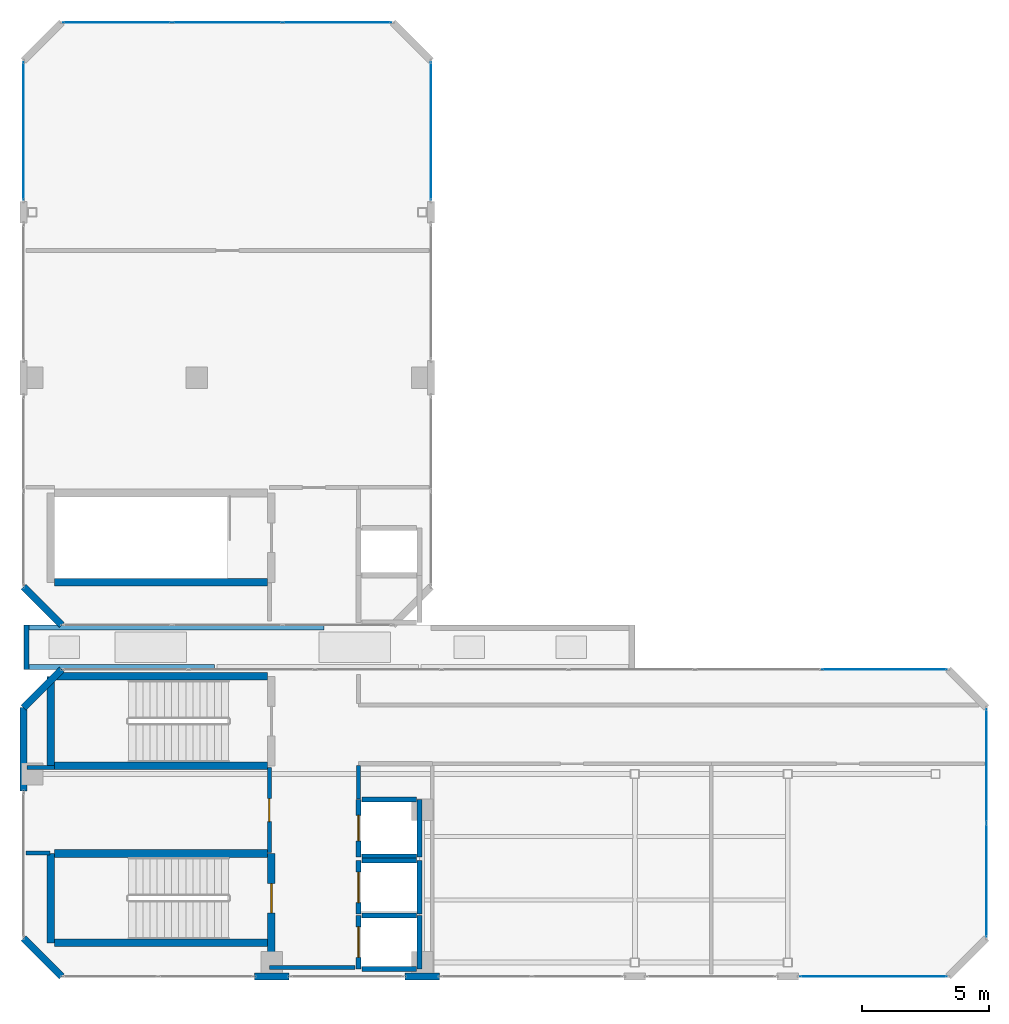
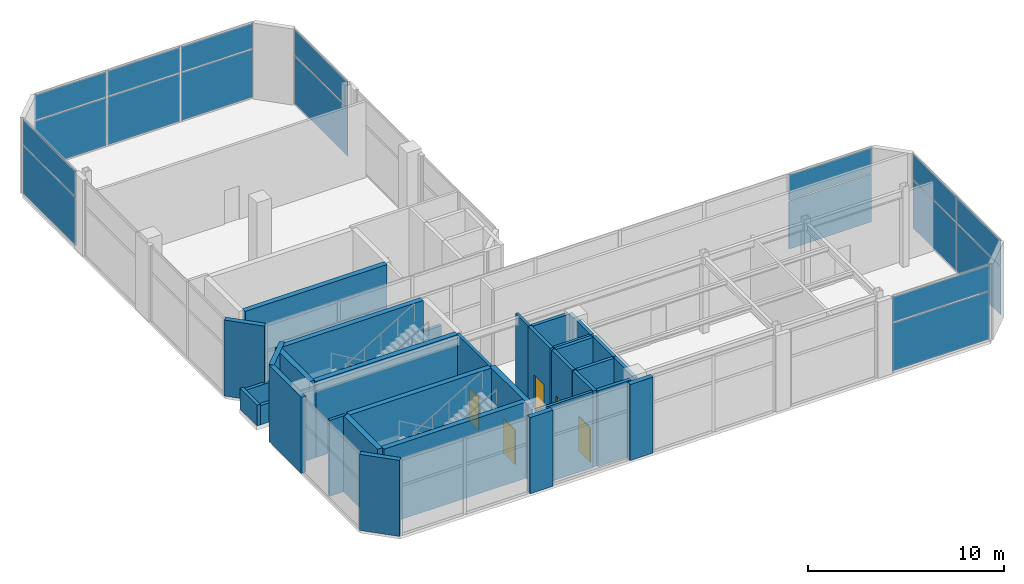
# One storey, part 16 of 18: 33 walls, 18 plates, 5 doors, 5 openings, 6 elements without a shape of their own.
"""IFC4 building model written with IfcOpenShell, lengths in metres."""

from ifc_helpers import new_model, si_unit, direction, frame, frame_2d, origin, origin_2d, place, context, subcontext, project, spatial, rectangle, extrude, material, layer, layer_set, type_object, element, fill, aggregate, save


model = new_model("IFC4")

# Units and contexts
model_context = context("Model", 3, precision=1e-05, world=origin(), true_north=direction((0.0, 1.0)))
body_context = subcontext(model_context, "Body", "Model", "MODEL_VIEW")
ifc_project = project(units=[si_unit("LENGTHUNIT", "METRE"), si_unit("AREAUNIT", "SQUARE_METRE"), si_unit("VOLUMEUNIT", "CUBIC_METRE"), si_unit("PLANEANGLEUNIT", "RADIAN"), si_unit("MASSUNIT", "GRAM", prefix="KILO")], contexts=[model_context])

# Site, building, storey
site_placement = place(None, origin())
site = spatial("IfcSite", under=ifc_project, at=site_placement, CompositionType="ELEMENT")
building_placement = place(site_placement, origin())
building = spatial("IfcBuilding", under=site, at=building_placement, Name="Mawjaban Terraces University", CompositionType="ELEMENT")
storey_placement = place(building_placement, frame((0.0, 0.0, 316.699951171875)))
storey = spatial("IfcBuildingStorey", under=building, at=storey_placement, Name="L77", CompositionType="ELEMENT", Elevation=316.699951171875)

# Curtain wall, plates
ifc_material_1 = material(Name="Anodised aluminium 6063-T6 and solar-control low-E glass", Category="aluminium")
ifc_layer_1 = layer(ifc_material_1, 0.199951171875)
ifc_layer_set_1 = layer_set([ifc_layer_1], Name="Anodised aluminium 6063-T6 and solar-control low-E glass")
curtain_wall_type = type_object("IfcCurtainWallType", Name="CWSystem_06_ObservationCrown", PredefinedType="NOTDEFINED", material=ifc_layer_set_1)
curtain_wall_1_placement = place(storey_placement, origin())
curtain_wall_1 = element("IfcCurtainWall", 1, at=curtain_wall_1_placement, inside=storey, type_object=curtain_wall_type, Name="L77 Curtain Wall CW-06 Run 1.5", PredefinedType="NOTDEFINED")
ifc_material_2 = material(Name="Low-E solar-control double glazing", Category="glass")
ifc_layer_2 = layer(ifc_material_2, 0.035888671875)
ifc_layer_set_2 = layer_set([ifc_layer_2], Name="Low-E solar-control double glazing")
plate_type = type_object("IfcPlateType", Name="VisionPanel_CW-06", PredefinedType="CURTAIN_PANEL", material=ifc_layer_set_2)
plate_1_placement = place(storey_placement, frame((55.362548828125, 0.0, 0.06005859375), z_axis=(0.0, 0.0, 1.0), x_axis=(1.0, 0.0, 0.0)))
plate_1 = element("IfcPlate", 2, at=plate_1_placement, type_object=plate_type, Name="CW-06 panel 1.1", PredefinedType="CURTAIN_PANEL", context=body_context, shape_type="SweptSolid", body=[
    extrude(rectangle(XDim=5.7451171875, YDim=0.028076171875, at=origin_2d()), origin(), (0.0, 0.0, 1.0), 2.990966796875),
])
plate_2_placement = place(storey_placement, frame((55.362548828125, 0.0, 3.11083984375), z_axis=(0.0, 0.0, 1.0), x_axis=(1.0, 0.0, 0.0)))
plate_2 = element("IfcPlate", 3, at=plate_2_placement, type_object=plate_type, Name="CW-06 panel 1.2", PredefinedType="CURTAIN_PANEL", context=body_context, shape_type="SweptSolid", body=[
    extrude(rectangle(XDim=5.7451171875, YDim=0.028076171875, at=origin_2d()), origin(), (0.0, 0.0, 1.0), 1.569091796875),
])
aggregate(curtain_wall_1, [plate_1, plate_2])

curtain_wall_2_placement = place(storey_placement, origin())
curtain_wall_2 = element("IfcCurtainWall", 4, at=curtain_wall_2_placement, inside=storey, type_object=curtain_wall_type, Name="L77 Curtain Wall CW-06 Run 3.1", PredefinedType="NOTDEFINED")
plate_3_placement = place(storey_placement, frame((59.800048828125, 3.77880859375, 0.06005859375), z_axis=(0.0, 0.0, 1.0), x_axis=(0.0, 1.0, 0.0)))
plate_3 = element("IfcPlate", 5, at=plate_3_placement, type_object=plate_type, Name="CW-06 panel 1.1", PredefinedType="CURTAIN_PANEL", context=body_context, shape_type="SweptSolid", body=[
    extrude(rectangle(XDim=4.427490234375, YDim=0.028076171875, at=origin_2d()), origin(), (0.0, 0.0, 1.0), 2.990966796875),
])
plate_4_placement = place(storey_placement, frame((59.800048828125, 3.77880859375, 3.11083984375), z_axis=(0.0, 0.0, 1.0), x_axis=(0.0, 1.0, 0.0)))
plate_4 = element("IfcPlate", 6, at=plate_4_placement, type_object=plate_type, Name="CW-06 panel 1.2", PredefinedType="CURTAIN_PANEL", context=body_context, shape_type="SweptSolid", body=[
    extrude(rectangle(XDim=4.427490234375, YDim=0.028076171875, at=origin_2d()), origin(), (0.0, 0.0, 1.0), 1.569091796875),
])
plate_5_placement = place(storey_placement, frame((59.800048828125, 8.271240234375, 0.06005859375), z_axis=(0.0, 0.0, 1.0), x_axis=(0.0, 1.0, 0.0)))
plate_5 = element("IfcPlate", 7, at=plate_5_placement, type_object=plate_type, Name="CW-06 panel 2.1", PredefinedType="CURTAIN_PANEL", context=body_context, shape_type="SweptSolid", body=[
    extrude(rectangle(XDim=4.427490234375, YDim=0.028076171875, at=origin_2d()), origin(), (0.0, 0.0, 1.0), 2.990966796875),
])
plate_6_placement = place(storey_placement, frame((59.800048828125, 8.271240234375, 3.11083984375), z_axis=(0.0, 0.0, 1.0), x_axis=(0.0, 1.0, 0.0)))
plate_6 = element("IfcPlate", 8, at=plate_6_placement, type_object=plate_type, Name="CW-06 panel 2.2", PredefinedType="CURTAIN_PANEL", context=body_context, shape_type="SweptSolid", body=[
    extrude(rectangle(XDim=4.427490234375, YDim=0.028076171875, at=origin_2d()), origin(), (0.0, 0.0, 1.0), 1.569091796875),
])
aggregate(curtain_wall_2, [plate_3, plate_4, plate_5, plate_6])

curtain_wall_3_placement = place(storey_placement, origin())
curtain_wall_3 = element("IfcCurtainWall", 9, at=curtain_wall_3_placement, inside=storey, type_object=curtain_wall_type, Name="L77 Curtain Wall CW-06 Run 5.1", PredefinedType="NOTDEFINED")
plate_7_placement = place(storey_placement, frame((55.798095703125, 12.050048828125, 0.06005859375), z_axis=(0.0, 0.0, 1.0), x_axis=(-1.0, 0.0, 0.0)))
plate_7 = element("IfcPlate", 10, at=plate_7_placement, type_object=plate_type, Name="CW-06 panel 1.1", PredefinedType="CURTAIN_PANEL", context=body_context, shape_type="SweptSolid", body=[
    extrude(rectangle(XDim=4.8740234375, YDim=0.028076171875, at=origin_2d()), origin(), (0.0, 0.0, 1.0), 2.990966796875),
])
plate_8_placement = place(storey_placement, frame((55.798095703125, 12.050048828125, 3.11083984375), z_axis=(0.0, 0.0, 1.0), x_axis=(-1.0, 0.0, 0.0)))
plate_8 = element("IfcPlate", 11, at=plate_8_placement, type_object=plate_type, Name="CW-06 panel 1.2", PredefinedType="CURTAIN_PANEL", context=body_context, shape_type="SweptSolid", body=[
    extrude(rectangle(XDim=4.8740234375, YDim=0.028076171875, at=origin_2d()), origin(), (0.0, 0.0, 1.0), 1.569091796875),
])
aggregate(curtain_wall_3, [plate_7, plate_8])

curtain_wall_4_placement = place(storey_placement, origin())
curtain_wall_4 = element("IfcCurtainWall", 12, at=curtain_wall_4_placement, inside=storey, type_object=curtain_wall_type, Name="L77 Curtain Wall CW-06 Run 3.3", PredefinedType="NOTDEFINED")
plate_9_placement = place(storey_placement, frame((38.0, 33.1875, 0.06005859375), z_axis=(0.0, 0.0, 1.0), x_axis=(0.0, 1.0, 0.0)))
plate_9 = element("IfcPlate", 13, at=plate_9_placement, type_object=plate_type, Name="CW-06 panel 1.1", PredefinedType="CURTAIN_PANEL", context=body_context, shape_type="SweptSolid", body=[
    extrude(rectangle(XDim=5.39501953125, YDim=0.028076171875, at=origin_2d()), origin(), (0.0, 0.0, 1.0), 2.990966796875),
])
plate_10_placement = place(storey_placement, frame((38.0, 33.1875, 3.11083984375), z_axis=(0.0, 0.0, 1.0), x_axis=(0.0, 1.0, 0.0)))
plate_10 = element("IfcPlate", 14, at=plate_10_placement, type_object=plate_type, Name="CW-06 panel 1.2", PredefinedType="CURTAIN_PANEL", context=body_context, shape_type="SweptSolid", body=[
    extrude(rectangle(XDim=5.39501953125, YDim=0.028076171875, at=origin_2d()), origin(), (0.0, 0.0, 1.0), 1.569091796875),
])
aggregate(curtain_wall_4, [plate_9, plate_10])

curtain_wall_5_placement = place(storey_placement, origin())
curtain_wall_5 = element("IfcCurtainWall", 15, at=curtain_wall_5_placement, inside=storey, type_object=curtain_wall_type, Name="L77 Curtain Wall CW-06 Run 5.1", PredefinedType="NOTDEFINED")
plate_11_placement = place(storey_placement, frame((34.317138671875, 37.449951171875, 0.06005859375), z_axis=(0.0, 0.0, 1.0), x_axis=(-1.0, 0.0, 0.0)))
plate_11 = element("IfcPlate", 16, at=plate_11_placement, type_object=plate_type, Name="CW-06 panel 1.1", PredefinedType="CURTAIN_PANEL", context=body_context, shape_type="SweptSolid", body=[
    extrude(rectangle(XDim=4.23583984375, YDim=0.028076171875, at=origin_2d()), origin(), (0.0, 0.0, 1.0), 2.990966796875),
])
plate_12_placement = place(storey_placement, frame((34.317138671875, 37.449951171875, 3.11083984375), z_axis=(0.0, 0.0, 1.0), x_axis=(-1.0, 0.0, 0.0)))
plate_12 = element("IfcPlate", 17, at=plate_12_placement, type_object=plate_type, Name="CW-06 panel 1.2", PredefinedType="CURTAIN_PANEL", context=body_context, shape_type="SweptSolid", body=[
    extrude(rectangle(XDim=4.23583984375, YDim=0.028076171875, at=origin_2d()), origin(), (0.0, 0.0, 1.0), 1.569091796875),
])
plate_13_placement = place(storey_placement, frame((30.0, 37.449951171875, 0.06005859375), z_axis=(0.0, 0.0, 1.0), x_axis=(-1.0, 0.0, 0.0)))
plate_13 = element("IfcPlate", 18, at=plate_13_placement, type_object=plate_type, Name="CW-06 panel 2.1", PredefinedType="CURTAIN_PANEL", context=body_context, shape_type="SweptSolid", body=[
    extrude(rectangle(XDim=4.268310546875, YDim=0.028076171875, at=origin_2d()), origin(), (0.0, 0.0, 1.0), 2.990966796875),
])
plate_14_placement = place(storey_placement, frame((30.0, 37.449951171875, 3.11083984375), z_axis=(0.0, 0.0, 1.0), x_axis=(-1.0, 0.0, 0.0)))
plate_14 = element("IfcPlate", 19, at=plate_14_placement, type_object=plate_type, Name="CW-06 panel 2.2", PredefinedType="CURTAIN_PANEL", context=body_context, shape_type="SweptSolid", body=[
    extrude(rectangle(XDim=4.268310546875, YDim=0.028076171875, at=origin_2d()), origin(), (0.0, 0.0, 1.0), 1.569091796875),
])
plate_15_placement = place(storey_placement, frame((25.682861328125, 37.449951171875, 0.06005859375), z_axis=(0.0, 0.0, 1.0), x_axis=(-1.0, 0.0, 0.0)))
plate_15 = element("IfcPlate", 20, at=plate_15_placement, type_object=plate_type, Name="CW-06 panel 3.1", PredefinedType="CURTAIN_PANEL", context=body_context, shape_type="SweptSolid", body=[
    extrude(rectangle(XDim=4.23583984375, YDim=0.028076171875, at=origin_2d()), origin(), (0.0, 0.0, 1.0), 2.990966796875),
])
plate_16_placement = place(storey_placement, frame((25.682861328125, 37.449951171875, 3.11083984375), z_axis=(0.0, 0.0, 1.0), x_axis=(-1.0, 0.0, 0.0)))
plate_16 = element("IfcPlate", 21, at=plate_16_placement, type_object=plate_type, Name="CW-06 panel 3.2", PredefinedType="CURTAIN_PANEL", context=body_context, shape_type="SweptSolid", body=[
    extrude(rectangle(XDim=4.23583984375, YDim=0.028076171875, at=origin_2d()), origin(), (0.0, 0.0, 1.0), 1.569091796875),
])
aggregate(curtain_wall_5, [plate_11, plate_12, plate_13, plate_14, plate_15, plate_16])

curtain_wall_6_placement = place(storey_placement, origin())
curtain_wall_6 = element("IfcCurtainWall", 22, at=curtain_wall_6_placement, inside=storey, type_object=curtain_wall_type, Name="L77 Curtain Wall CW-06 Run 7.1", PredefinedType="NOTDEFINED")
plate_17_placement = place(storey_placement, frame((22.0, 33.1875, 0.06005859375), z_axis=(0.0, 0.0, 1.0), x_axis=(0.0, -1.0, 0.0)))
plate_17 = element("IfcPlate", 23, at=plate_17_placement, type_object=plate_type, Name="CW-06 panel 1.1", PredefinedType="CURTAIN_PANEL", context=body_context, shape_type="SweptSolid", body=[
    extrude(rectangle(XDim=5.39501953125, YDim=0.028076171875, at=origin_2d()), origin(), (0.0, 0.0, 1.0), 2.990966796875),
])
plate_18_placement = place(storey_placement, frame((22.0, 33.1875, 3.11083984375), z_axis=(0.0, 0.0, 1.0), x_axis=(0.0, -1.0, 0.0)))
plate_18 = element("IfcPlate", 24, at=plate_18_placement, type_object=plate_type, Name="CW-06 panel 1.2", PredefinedType="CURTAIN_PANEL", context=body_context, shape_type="SweptSolid", body=[
    extrude(rectangle(XDim=5.39501953125, YDim=0.028076171875, at=origin_2d()), origin(), (0.0, 0.0, 1.0), 1.569091796875),
])
aggregate(curtain_wall_6, [plate_17, plate_18])

# Walls
ifc_material_3 = material(Name="Fire-rated gypsum board on steel stud", Category="steel")
ifc_layer_3 = layer(ifc_material_3, 0.159912109375)
ifc_layer_set_3 = layer_set([ifc_layer_3], Name="Fire-rated gypsum board on steel stud")
wall_type_1 = type_object("IfcWallType", Name="CorridorPartition_160", PredefinedType="PARTITIONING", material=ifc_layer_set_3)
wall_1_placement = place(storey_placement, frame((22.090087890625, 4.85009765625, 0.0), z_axis=(0.0, 0.0, 1.0), x_axis=(1.0, 0.0, 0.0)))
element("IfcWall", 25, at=wall_1_placement, inside=storey, type_object=wall_type_1, Name="L77 East Peak Lift Machine Room Partition 1", PredefinedType="PARTITIONING", context=body_context, shape_type="SweptSolid", body=[
    extrude(rectangle(XDim=0.949951171875, YDim=0.159912109375, at=frame_2d((0.47509765625, 0.0))), origin(), (0.0, 0.0, 1.0), 4.739990234375),
])
wall_2_placement = place(storey_placement, frame((23.219970703125, 8.199951171875, 0.0), z_axis=(0.0, 0.0, 1.0), x_axis=(-1.0, 0.0, 0.0)))
element("IfcWall", 26, at=wall_2_placement, inside=storey, type_object=wall_type_1, Name="L77 East Peak Lift Machine Room Partition 3", PredefinedType="PARTITIONING", context=body_context, shape_type="SweptSolid", body=[
    extrude(rectangle(XDim=1.0869140625, YDim=0.159912109375, at=frame_2d((0.54345703125, 0.0))), origin(), (0.0, 0.0, 1.0), 4.277099609375),
])
wall_3_placement = place(storey_placement, frame((31.64990234375, 0.35009765625, 0.0), z_axis=(0.0, 0.0, 1.0), x_axis=(1.0, 0.0, 0.0)))
element("IfcWall", 27, at=wall_3_placement, inside=storey, type_object=wall_type_1, Name="L77 East Peak Stair and Lift Plant Lobby Partition 4", PredefinedType="PARTITIONING", context=body_context, shape_type="SweptSolid", body=[
    extrude(rectangle(XDim=3.3701171875, YDim=0.159912109375, at=frame_2d((1.68505859375, 0.0))), origin(), (0.0, 0.0, 1.0), 4.739990234375),
])

# Wall, opening, door
wall_4_placement = place(storey_placement, frame((31.64990234375, 4.860107421875, 0.0), z_axis=(0.0, 0.0, 1.0), x_axis=(0.0, 1.0, 0.0)))
wall_4 = element("IfcWall", 28, at=wall_4_placement, inside=storey, type_object=wall_type_1, Name="L77 East Peak Lift Machine Room Partition 12", PredefinedType="PARTITIONING", context=body_context, shape_type="SweptSolid", body=[
    extrude(rectangle(XDim=3.33984375, YDim=0.159912109375, at=frame_2d((1.669921875, 0.0))), origin(), (0.0, 0.0, 1.0), 4.739990234375),
])
opening_1_placement = place(wall_4_placement, frame((1.219970703125, 0.0, 0.0)))
opening_1 = element("IfcOpeningElement", 29, at=opening_1_placement, cuts=wall_4, Name="Opening ID-090", PredefinedType="OPENING", context=body_context, shape_type="SweptSolid", body=[
    extrude(rectangle(XDim=0.89990234375, YDim=2.10009765625, at=frame_2d((0.449951171875, 1.050048828125))), frame((0.0, 0.08984375, 0.0), z_axis=(0.0, -1.0, 0.0), x_axis=(1.0, 0.0, 0.0)), (0.0, 0.0, 1.0), 0.179931640625),
])
ifc_material_4 = material(Name="Powder-coated steel frame and solid acoustic timber leaf", Category="steel")
door_type_1 = type_object("IfcDoorType", Name="OfficeDoor_900x2100", OperationType="NOTDEFINED", PredefinedType="DOOR", material=ifc_material_4)
door_1_placement = place(opening_1_placement, origin())
door_1 = element("IfcDoor", 30, at=door_1_placement, inside=storey, type_object=door_type_1, Name="L77 East Peak Lift Machine Room Door", OperationType="SINGLE_SWING_RIGHT", OverallHeight=2.10009765625, OverallWidth=0.89990234375, PredefinedType="DOOR", context=body_context, shape_type="SweptSolid", body=[
    extrude(rectangle(XDim=0.89990234375, YDim=2.10009765625, at=frame_2d((0.449951171875, 1.050048828125))), frame((0.0, 0.02490234375, 0.0), z_axis=(0.0, -1.0, 0.0), x_axis=(1.0, 0.0, 0.0)), (0.0, 0.0, 1.0), 0.050048828125),
])
fill(opening_1, door_1)

# Walls
wall_5_placement = place(storey_placement, frame((35.14990234375, 6.969970703125, 0.0), z_axis=(0.0, 0.0, 1.0), x_axis=(0.0, 1.0, 0.0)))
element("IfcWall", 31, at=wall_5_placement, inside=storey, type_object=wall_type_1, Name="L77 East Peak Stair and Lift Plant Lobby Partition 14", PredefinedType="PARTITIONING", context=body_context, shape_type="SweptSolid", body=[
    extrude(rectangle(XDim=1.304931640625, YDim=0.159912109375, at=frame_2d((0.65234375, 0.0))), origin(), (0.0, 0.0, 1.0), 4.739990234375),
])
ifc_material_5 = material(Name="Insulated terracotta rainscreen on concrete backup C40/50", Category="masonry")
ifc_layer_4 = layer(ifc_material_5, 0.27490234375)
ifc_layer_set_4 = layer_set([ifc_layer_4], Name="Insulated terracotta rainscreen on concrete backup C40/50")
wall_type_2 = type_object("IfcWallType", Name="ExtTerracottaWall_275", PredefinedType="SOLIDWALL", material=ifc_layer_set_4)
wall_6_placement = place(storey_placement, frame((31.074951171875, 0.0, 0.0), z_axis=(0.0, 0.0, 1.0), x_axis=(1.0, 0.0, 0.0)))
element("IfcWall", 32, at=wall_6_placement, inside=storey, type_object=wall_type_2, Name="L77 Exterior Terracotta Pier Wall 1.1", PredefinedType="SOLIDWALL", context=body_context, shape_type="SweptSolid", body=[
    extrude(rectangle(XDim=1.35009765625, YDim=0.27490234375, at=frame_2d((0.675048828125, 0.0))), origin(), (0.0, 0.0, 1.0), 4.739990234375),
])
wall_7_placement = place(storey_placement, frame((36.97509765625, 0.0, 0.0), z_axis=(0.0, 0.0, 1.0), x_axis=(1.0, 0.0, 0.0)))
element("IfcWall", 33, at=wall_7_placement, inside=storey, type_object=wall_type_2, Name="L77 Exterior Terracotta Pier Wall 1.2", PredefinedType="SOLIDWALL", context=body_context, shape_type="SweptSolid", body=[
    extrude(rectangle(XDim=1.349853515625, YDim=0.27490234375, at=frame_2d((0.6748046875, 0.0))), origin(), (0.0, 0.0, 1.0), 4.739990234375),
])
wall_8_placement = place(storey_placement, frame((23.5, 12.050048828125, 0.0), z_axis=(0.0, 0.0, 1.0), x_axis=(-0.707106781187, -0.707106781187, 0.0)))
element("IfcWall", 34, at=wall_8_placement, inside=storey, type_object=wall_type_2, Name="L77 Exterior Terracotta Wall 6", PredefinedType="SOLIDWALL", context=body_context, shape_type="SweptSolid", body=[
    extrude(rectangle(XDim=2.121337890625, YDim=0.27490234375, at=frame_2d((1.060546875, 0.0))), origin(), (0.0, 0.0, 1.0), 4.739990234375),
])
wall_9_placement = place(storey_placement, frame((22.0, 10.550048828125, 0.0), z_axis=(0.0, 0.0, 1.0), x_axis=(0.0, -1.0, 0.0)))
element("IfcWall", 35, at=wall_9_placement, inside=storey, type_object=wall_type_2, Name="L77 Exterior Terracotta Pier Wall 7.1", PredefinedType="SOLIDWALL", context=body_context, shape_type="SweptSolid", body=[
    extrude(rectangle(XDim=3.275146484375, YDim=0.27490234375, at=frame_2d((1.6376953125, 0.0))), origin(), (0.0, 0.0, 1.0), 4.739990234375),
])
for number, where, z_axis, x_axis, name in (
    (36, (22.0, 1.5, 0.0), (0.0, 0.0, 1.0), (0.707106781187, -0.707106781187, 0.0), "L77 Exterior Terracotta Wall 8"),
    (37, (22.0, 15.300048828125, 0.0), (0.0, 0.0, 1.0), (0.707106781187, -0.707106781187, 0.0), "L77 Exterior Terracotta Wall 8"),
):
    element("IfcWall", number, at=place(storey_placement, frame(where, z_axis=z_axis, x_axis=x_axis)), inside=storey, type_object=wall_type_2, Name=name, PredefinedType="SOLIDWALL", context=body_context, shape_type="SweptSolid", body=[
        extrude(rectangle(XDim=2.121337890625, YDim=0.27490234375, at=frame_2d((1.060546875, 0.0))), origin(), (0.0, 0.0, 1.0), 4.739990234375),
    ])

# Wall, opening, door
ifc_material_6 = material(Name="Concrete C40/50", Category="concrete")
ifc_layer_5 = layer(ifc_material_6, 0.199951171875)
ifc_layer_set_5 = layer_set([ifc_layer_5], Name="Concrete C40/50")
wall_type_3 = type_object("IfcWallType", Name="FireLobbyWall_200", PredefinedType="SOLIDWALL", material=ifc_layer_set_5)
wall_10_placement = place(storey_placement, frame((35.14990234375, 2.39990234375, 0.0), z_axis=(0.0, 0.0, 1.0), x_axis=(0.0, -1.0, 0.0)))
wall_10 = element("IfcWall", 38, at=wall_10_placement, inside=storey, type_object=wall_type_3, Name="L77 Lift FL-1 Hoistway Wall West", PredefinedType="SOLIDWALL", context=body_context, shape_type="SweptSolid", body=[
    extrude(rectangle(XDim=2.099853515625, YDim=0.199951171875, at=frame_2d((1.0498046875, 0.0))), origin(), (0.0, 0.0, 1.0), 4.739990234375),
])
opening_2_placement = place(wall_10_placement, frame((0.449951171875, 0.0, 0.0)))
opening_2 = element("IfcOpeningElement", 39, at=opening_2_placement, cuts=wall_10, Name="Opening LD-FL-1", PredefinedType="OPENING", context=body_context, shape_type="SweptSolid", body=[
    extrude(rectangle(XDim=1.199951171875, YDim=2.14990234375, at=frame_2d((0.60009765625, 1.074951171875))), frame((0.0, 0.10986328125, 0.0), z_axis=(0.0, -1.0, 0.0), x_axis=(1.0, 0.0, 0.0)), (0.0, 0.0, 1.0), 0.219970703125),
])
ifc_material_7 = material(Name="Powder-coated steel frame and fire-rated steel-faced leaf", Category="steel")
door_type_2 = type_object("IfcDoorType", Name="LiftLandingFSAE_1200x2150", OperationType="NOTDEFINED", PredefinedType="DOOR", material=ifc_material_7)
door_2_placement = place(opening_2_placement, origin())
door_2 = element("IfcDoor", 40, at=door_2_placement, inside=storey, type_object=door_type_2, Name="L77 Lift FL-1 Sliding Landing Door", OperationType="DOUBLE_DOOR_SLIDING", OverallHeight=2.14990234375, OverallWidth=1.199951171875, PredefinedType="DOOR", context=body_context, shape_type="SweptSolid", body=[
    extrude(rectangle(XDim=1.199951171875, YDim=2.14990234375, at=frame_2d((0.60009765625, 1.074951171875))), frame((0.0, 0.02490234375, 0.0), z_axis=(0.0, -1.0, 0.0), x_axis=(1.0, 0.0, 0.0)), (0.0, 0.0, 1.0), 0.050048828125),
])
fill(opening_2, door_2)

# Walls
wall_11_placement = place(storey_placement, frame((37.550048828125, 0.300048828125, 0.0), z_axis=(0.0, 0.0, 1.0), x_axis=(0.0, 1.0, 0.0)))
element("IfcWall", 41, at=wall_11_placement, inside=storey, type_object=wall_type_3, Name="L77 Lift FL-1 Hoistway Wall East", PredefinedType="SOLIDWALL", context=body_context, shape_type="SweptSolid", body=[
    extrude(rectangle(XDim=2.099853515625, YDim=0.199951171875, at=frame_2d((1.0498046875, 0.0))), origin(), (0.0, 0.0, 1.0), 4.739990234375),
])
for number, where, z_axis, x_axis, name in (
    (42, (35.280029296875, 0.300048828125, 0.0), (0.0, 0.0, 1.0), (1.0, 0.0, 0.0), "L77 Lift FL-1 Hoistway Wall South"),
    (43, (37.419921875, 2.39990234375, 0.0), (0.0, 0.0, 1.0), (-1.0, 0.0, 0.0), "L77 Lift FL-1 Hoistway Wall North"),
):
    element("IfcWall", number, at=place(storey_placement, frame(where, z_axis=z_axis, x_axis=x_axis)), inside=storey, type_object=wall_type_3, Name=name, PredefinedType="SOLIDWALL", context=body_context, shape_type="SweptSolid", body=[
        extrude(rectangle(XDim=2.139892578125, YDim=0.199951171875, at=frame_2d((1.06982421875, 0.0))), origin(), (0.0, 0.0, 1.0), 4.739990234375),
    ])

# Wall, opening, door
wall_12_placement = place(storey_placement, frame((35.14990234375, 4.550048828125, 0.0), z_axis=(0.0, 0.0, 1.0), x_axis=(0.0, -1.0, 0.0)))
wall_12 = element("IfcWall", 44, at=wall_12_placement, inside=storey, type_object=wall_type_3, Name="L77 Lift FL-2 Hoistway Wall West", PredefinedType="SOLIDWALL", context=body_context, shape_type="SweptSolid", body=[
    extrude(rectangle(XDim=2.10009765625, YDim=0.199951171875, at=frame_2d((1.050048828125, 0.0))), origin(), (0.0, 0.0, 1.0), 4.739990234375),
])
opening_3_placement = place(wall_12_placement, frame((0.449951171875, 0.0, 0.0)))
opening_3 = element("IfcOpeningElement", 45, at=opening_3_placement, cuts=wall_12, Name="Opening LD-FL-2", PredefinedType="OPENING", context=body_context, shape_type="SweptSolid", body=[
    extrude(rectangle(XDim=1.199951171875, YDim=2.14990234375, at=frame_2d((0.60009765625, 1.074951171875))), frame((0.0, 0.10986328125, 0.0), z_axis=(0.0, -1.0, 0.0), x_axis=(1.0, 0.0, 0.0)), (0.0, 0.0, 1.0), 0.219970703125),
])
door_3_placement = place(opening_3_placement, origin())
door_3 = element("IfcDoor", 46, at=door_3_placement, inside=storey, type_object=door_type_2, Name="L77 Lift FL-2 Sliding Landing Door", OperationType="DOUBLE_DOOR_SLIDING", OverallHeight=2.14990234375, OverallWidth=1.199951171875, PredefinedType="DOOR", context=body_context, shape_type="SweptSolid", body=[
    extrude(rectangle(XDim=1.199951171875, YDim=2.14990234375, at=frame_2d((0.60009765625, 1.074951171875))), frame((0.0, 0.02490234375, 0.0), z_axis=(0.0, -1.0, 0.0), x_axis=(1.0, 0.0, 0.0)), (0.0, 0.0, 1.0), 0.050048828125),
])
fill(opening_3, door_3)

# Walls
wall_13_placement = place(storey_placement, frame((37.550048828125, 2.449951171875, 0.0), z_axis=(0.0, 0.0, 1.0), x_axis=(0.0, 1.0, 0.0)))
element("IfcWall", 47, at=wall_13_placement, inside=storey, type_object=wall_type_3, Name="L77 Lift FL-2 Hoistway Wall East", PredefinedType="SOLIDWALL", context=body_context, shape_type="SweptSolid", body=[
    extrude(rectangle(XDim=2.10009765625, YDim=0.199951171875, at=frame_2d((1.050048828125, 0.0))), origin(), (0.0, 0.0, 1.0), 4.739990234375),
])
wall_14_placement = place(storey_placement, frame((37.419921875, 4.550048828125, 0.0), z_axis=(0.0, 0.0, 1.0), x_axis=(-1.0, 0.0, 0.0)))
element("IfcWall", 48, at=wall_14_placement, inside=storey, type_object=wall_type_3, Name="L77 Lift FL-2 Hoistway Wall North", PredefinedType="SOLIDWALL", context=body_context, shape_type="SweptSolid", body=[
    extrude(rectangle(XDim=2.139892578125, YDim=0.199951171875, at=frame_2d((1.06982421875, 0.0))), origin(), (0.0, 0.0, 1.0), 4.739990234375),
])

# Wall, opening, door
wall_15_placement = place(storey_placement, frame((35.14990234375, 6.949951171875, 0.0), z_axis=(0.0, 0.0, 1.0), x_axis=(0.0, -1.0, 0.0)))
wall_15 = element("IfcWall", 49, at=wall_15_placement, inside=storey, type_object=wall_type_3, Name="L77 Lift SL-1 Hoistway Wall West", PredefinedType="SOLIDWALL", context=body_context, shape_type="SweptSolid", body=[
    extrude(rectangle(XDim=2.25, YDim=0.199951171875, at=frame_2d((1.125, 0.0))), origin(), (0.0, 0.0, 1.0), 4.739990234375),
])
opening_4_placement = place(wall_15_placement, frame((0.625, 0.0, 0.0)))
opening_4 = element("IfcOpeningElement", 50, at=opening_4_placement, cuts=wall_15, Name="Opening LD-SL-1", PredefinedType="OPENING", context=body_context, shape_type="SweptSolid", body=[
    extrude(rectangle(XDim=1.0, YDim=2.10009765625, at=frame_2d((0.5, 1.050048828125))), frame((0.0, 0.10986328125, 0.0), z_axis=(0.0, -1.0, 0.0), x_axis=(1.0, 0.0, 0.0)), (0.0, 0.0, 1.0), 0.219970703125),
])
door_type_3 = type_object("IfcDoorType", Name="LiftLandingSliding_1000x2100", OperationType="NOTDEFINED", PredefinedType="DOOR", material=ifc_material_7)
door_4_placement = place(opening_4_placement, origin())
door_4 = element("IfcDoor", 51, at=door_4_placement, inside=storey, type_object=door_type_3, Name="L77 Lift SL-1 Sliding Landing Door", OperationType="DOUBLE_DOOR_SLIDING", OverallHeight=2.10009765625, OverallWidth=1.0, PredefinedType="DOOR", context=body_context, shape_type="SweptSolid", body=[
    extrude(rectangle(XDim=1.0, YDim=2.10009765625, at=frame_2d((0.5, 1.050048828125))), frame((0.0, 0.02490234375, 0.0), z_axis=(0.0, -1.0, 0.0), x_axis=(1.0, 0.0, 0.0)), (0.0, 0.0, 1.0), 0.050048828125),
])
fill(opening_4, door_4)

# Walls
wall_16_placement = place(storey_placement, frame((37.550048828125, 4.699951171875, 0.0), z_axis=(0.0, 0.0, 1.0), x_axis=(0.0, 1.0, 0.0)))
element("IfcWall", 52, at=wall_16_placement, inside=storey, type_object=wall_type_3, Name="L77 Lift SL-1 Hoistway Wall East", PredefinedType="SOLIDWALL", context=body_context, shape_type="SweptSolid", body=[
    extrude(rectangle(XDim=2.25, YDim=0.199951171875, at=frame_2d((1.125, 0.0))), origin(), (0.0, 0.0, 1.0), 4.739990234375),
])
for number, where, z_axis, x_axis, name in (
    (53, (35.280029296875, 4.699951171875, 0.0), (0.0, 0.0, 1.0), (1.0, 0.0, 0.0), "L77 Lift SL-1 Hoistway Wall South"),
    (54, (37.419921875, 6.949951171875, 0.0), (0.0, 0.0, 1.0), (-1.0, 0.0, 0.0), "L77 Lift SL-1 Hoistway Wall North"),
):
    element("IfcWall", number, at=place(storey_placement, frame(where, z_axis=z_axis, x_axis=x_axis)), inside=storey, type_object=wall_type_3, Name=name, PredefinedType="SOLIDWALL", context=body_context, shape_type="SweptSolid", body=[
        extrude(rectangle(XDim=2.139892578125, YDim=0.199951171875, at=frame_2d((1.06982421875, 0.0))), origin(), (0.0, 0.0, 1.0), 4.739990234375),
    ])
ifc_material_8 = material(Name="Architectural glazed terracotta parapet", Category="masonry")
ifc_layer_6 = layer(ifc_material_8, 0.18994140625)
ifc_layer_set_6 = layer_set([ifc_layer_6], Name="Architectural glazed terracotta parapet")
wall_type_4 = type_object("IfcWallType", Name="ParapetWall_190", PredefinedType="PARAPET", material=ifc_layer_set_6)
wall_17_placement = place(storey_placement, frame((22.1201171875, 12.050048828125, 0.0), z_axis=(0.0, 0.0, 1.0), x_axis=(0.0, 1.0, 0.0)))
element("IfcWall", 55, at=wall_17_placement, inside=storey, type_object=wall_type_4, Name="L77 Sky-Slot West Parapet Wall", PredefinedType="PARAPET", context=body_context, shape_type="SweptSolid", body=[
    extrude(rectangle(XDim=1.75, YDim=0.18994140625, at=frame_2d((0.875, 0.0))), origin(), (0.0, 0.0, 1.0), 1.300048828125),
])
wall_18_placement = place(storey_placement, frame((22.199951171875, 12.14501953125, 0.0), z_axis=(0.0, 0.0, 1.0), x_axis=(1.0, 0.0, 0.0)))
element("IfcWall", 56, at=wall_18_placement, inside=storey, type_object=wall_type_4, Name="L77 Sky-Slot Kerb Parapet 1", PredefinedType="PARAPET", context=body_context, shape_type="SweptSolid", body=[
    extrude(rectangle(XDim=7.300048828125, YDim=0.18994140625, at=frame_2d((3.64990234375, 0.0))), origin(), (0.0, 0.0, 1.0), 1.199951171875),
])
wall_19_placement = place(storey_placement, frame((22.199951171875, 13.705078125, 0.0), z_axis=(0.0, 0.0, 1.0), x_axis=(1.0, 0.0, 0.0)))
element("IfcWall", 57, at=wall_19_placement, inside=storey, type_object=wall_type_4, Name="L77 Sky-Slot Kerb Parapet 4", PredefinedType="PARAPET", context=body_context, shape_type="SweptSolid", body=[
    extrude(rectangle(XDim=11.60009765625, YDim=0.18994140625, at=frame_2d((5.800048828125, 0.0))), origin(), (0.0, 0.0, 1.0), 1.199951171875),
])
ifc_material_9 = material(Name="Concrete C60/75", Category="concrete")
ifc_layer_7 = layer(ifc_material_9, 0.300048828125)
ifc_layer_set_7 = layer_set([ifc_layer_7], Name="Concrete C60/75")
wall_type_5 = type_object("IfcWallType", Name="StairShaftWall_300", PredefinedType="SHEAR", material=ifc_layer_set_7)
wall_20_placement = place(storey_placement, frame((31.580078125, 4.830078125, 0.0), z_axis=(0.0, 0.0, 1.0), x_axis=(-1.0, 0.0, 0.0)))
element("IfcWall", 58, at=wall_20_placement, inside=storey, type_object=wall_type_5, Name="L77 ST-1 Stair Shaft Wall 1", PredefinedType="SHEAR", context=body_context, shape_type="SweptSolid", body=[
    extrude(rectangle(XDim=8.360107421875, YDim=0.300048828125, at=frame_2d((4.18017578125, 0.0))), origin(), (0.0, 0.0, 1.0), 4.739990234375),
])
wall_21_placement = place(storey_placement, frame((23.070068359375, 4.830078125, 0.0), z_axis=(0.0, 0.0, 1.0), x_axis=(0.0, -1.0, 0.0)))
element("IfcWall", 59, at=wall_21_placement, inside=storey, type_object=wall_type_5, Name="L77 ST-1 Stair Shaft Wall 2", PredefinedType="SHEAR", context=body_context, shape_type="SweptSolid", body=[
    extrude(rectangle(XDim=3.510009765625, YDim=0.300048828125, at=frame_2d((1.7548828125, 0.0))), origin(), (0.0, 0.0, 1.0), 4.739990234375),
])
wall_22_placement = place(storey_placement, frame((23.219970703125, 1.320068359375, 0.0), z_axis=(0.0, 0.0, 1.0), x_axis=(1.0, 0.0, 0.0)))
element("IfcWall", 60, at=wall_22_placement, inside=storey, type_object=wall_type_5, Name="L77 ST-1 Stair Shaft Wall 3", PredefinedType="SHEAR", context=body_context, shape_type="SweptSolid", body=[
    extrude(rectangle(XDim=8.360107421875, YDim=0.300048828125, at=frame_2d((4.18017578125, 0.0))), origin(), (0.0, 0.0, 1.0), 4.739990234375),
])

# Wall, opening, door
wall_23_placement = place(storey_placement, frame((31.72998046875, 0.9599609375, 0.0), z_axis=(0.0, 0.0, 1.0), x_axis=(0.0, 1.0, 0.0)))
wall_23 = element("IfcWall", 61, at=wall_23_placement, inside=storey, type_object=wall_type_5, Name="L77 ST-1 Stair Shaft Wall 4", PredefinedType="SHEAR", context=body_context, shape_type="SweptSolid", body=[
    extrude(rectangle(XDim=3.8701171875, YDim=0.300048828125, at=frame_2d((1.93505859375, 0.0))), origin(), (0.0, 0.0, 1.0), 4.739990234375),
])
opening_5_placement = place(wall_23_placement, frame((1.5400390625, 0.0, 0.0)))
opening_5 = element("IfcOpeningElement", 62, at=opening_5_placement, cuts=wall_23, Name="Opening FD-115", PredefinedType="OPENING", context=body_context, shape_type="SweptSolid", body=[
    extrude(rectangle(XDim=1.14990234375, YDim=2.14990234375, at=frame_2d((0.574951171875, 1.074951171875))), frame((0.0, 0.159912109375, 0.0), z_axis=(0.0, -1.0, 0.0), x_axis=(1.0, 0.0, 0.0)), (0.0, 0.0, 1.0), 0.320068359375),
])
door_type_4 = type_object("IfcDoorType", Name="FireStairDoor_1150x2150", OperationType="NOTDEFINED", PredefinedType="DOOR", material=ifc_material_7)
door_5_placement = place(opening_5_placement, origin())
door_5 = element("IfcDoor", 63, at=door_5_placement, inside=storey, type_object=door_type_4, Name="L77 ST-1 Pressurised Stair Fire Door", OperationType="SINGLE_SWING_LEFT", OverallHeight=2.14990234375, OverallWidth=1.14990234375, PredefinedType="DOOR", context=body_context, shape_type="SweptSolid", body=[
    extrude(rectangle(XDim=1.14990234375, YDim=2.14990234375, at=frame_2d((0.574951171875, 1.074951171875))), frame((0.0, 0.02490234375, 0.0), z_axis=(0.0, -1.0, 0.0), x_axis=(1.0, 0.0, 0.0)), (0.0, 0.0, 1.0), 0.050048828125),
])
fill(opening_5, door_5)

# Walls
for number, where, z_axis, x_axis, name in (
    (64, (23.219970703125, 15.469970703125, 0.0), (0.0, 0.0, 1.0), (1.0, 0.0, 0.0), "L77 ST-2 Stair Shaft Wall 3"),
    (65, (31.580078125, 11.780029296875, 0.0), (0.0, 0.0, 1.0), (-1.0, 0.0, 0.0), "L77 ST-3 Stair Shaft Wall 1"),
):
    element("IfcWall", number, at=place(storey_placement, frame(where, z_axis=z_axis, x_axis=x_axis)), inside=storey, type_object=wall_type_5, Name=name, PredefinedType="SHEAR", context=body_context, shape_type="SweptSolid", body=[
        extrude(rectangle(XDim=8.360107421875, YDim=0.300048828125, at=frame_2d((4.18017578125, 0.0))), origin(), (0.0, 0.0, 1.0), 4.739990234375),
    ])
wall_24_placement = place(storey_placement, frame((23.070068359375, 11.780029296875, 0.0), z_axis=(0.0, 0.0, 1.0), x_axis=(0.0, -1.0, 0.0)))
element("IfcWall", 66, at=wall_24_placement, inside=storey, type_object=wall_type_5, Name="L77 ST-3 Stair Shaft Wall 2", PredefinedType="SHEAR", context=body_context, shape_type="SweptSolid", body=[
    extrude(rectangle(XDim=3.510009765625, YDim=0.300048828125, at=frame_2d((1.7548828125, 0.0))), origin(), (0.0, 0.0, 1.0), 4.739990234375),
])
wall_25_placement = place(storey_placement, frame((23.219970703125, 8.27001953125, 0.0), z_axis=(0.0, 0.0, 1.0), x_axis=(1.0, 0.0, 0.0)))
element("IfcWall", 67, at=wall_25_placement, inside=storey, type_object=wall_type_5, Name="L77 ST-3 Stair Shaft Wall 3", PredefinedType="SHEAR", context=body_context, shape_type="SweptSolid", body=[
    extrude(rectangle(XDim=8.360107421875, YDim=0.300048828125, at=frame_2d((4.18017578125, 0.0))), origin(), (0.0, 0.0, 1.0), 4.739990234375),
])

save(model, "model.ifc")
